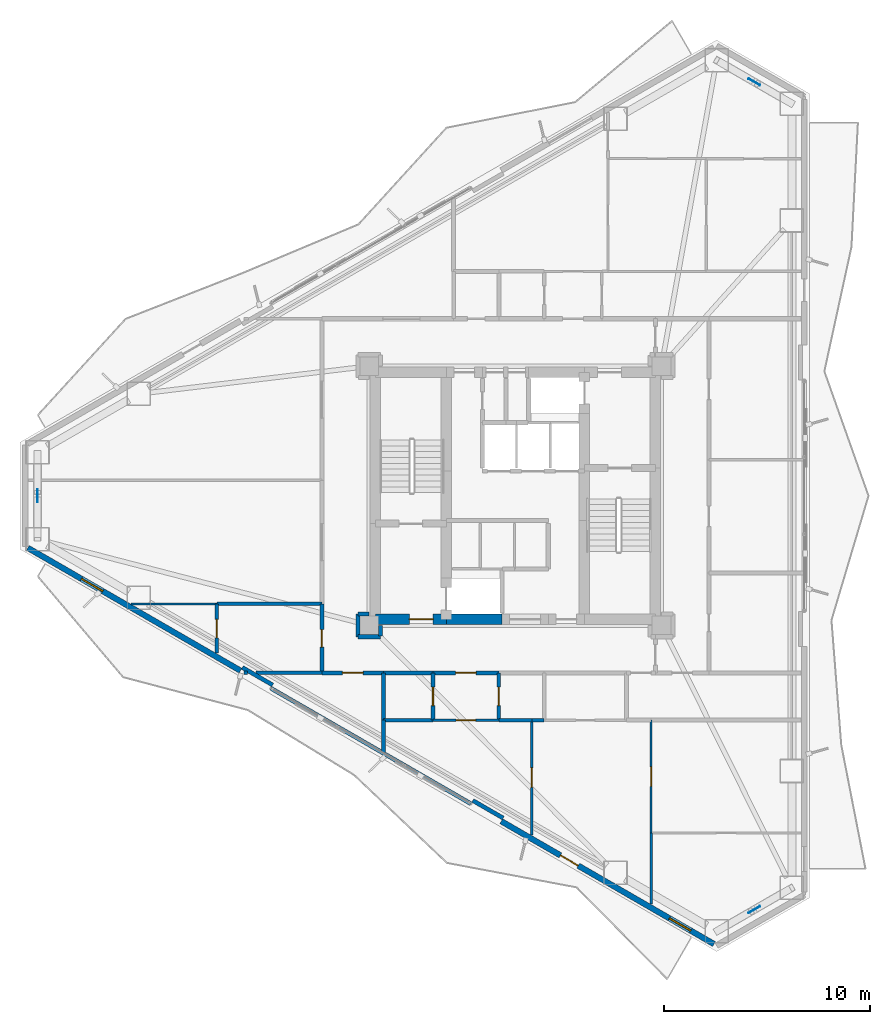
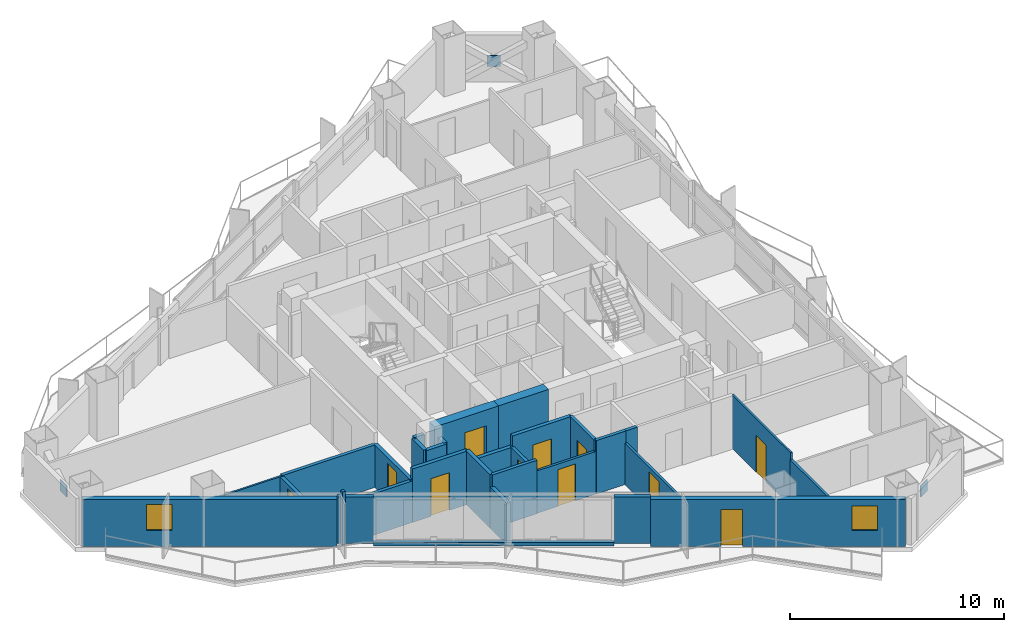
# One storey, part 15 of 22: 31 walls, 11 doors, 3 plates, 2 windows, 13 openings.
"""IFC4 building model written with IfcOpenShell, lengths in metres."""

from ifc_helpers import new_model, si_unit, direction, frame, frame_2d, origin, origin_2d, place, context, subcontext, project, spatial, rectangle, extrude, material, layer, layer_set, type_object, element, fill, save


model = new_model("IFC4")

# Units and contexts
model_context = context("Model", 3, precision=1e-05, world=origin(), true_north=direction((0.0, 1.0)))
body_context = subcontext(model_context, "Body", "Model", "MODEL_VIEW")
ifc_project = project(units=[si_unit("LENGTHUNIT", "METRE"), si_unit("AREAUNIT", "SQUARE_METRE"), si_unit("VOLUMEUNIT", "CUBIC_METRE"), si_unit("PLANEANGLEUNIT", "RADIAN"), si_unit("MASSUNIT", "GRAM", prefix="KILO")], contexts=[model_context])

# Site, building, storey
site_placement = place(None, origin())
site = spatial("IfcSite", under=ifc_project, at=site_placement, CompositionType="ELEMENT")
building_placement = place(site_placement, origin())
building = spatial("IfcBuilding", under=site, at=building_placement, Name="Mersakhor Tower and Convention Hall", CompositionType="ELEMENT")
storey_placement = place(building_placement, frame((0.0, 0.0, 83.39990234375)))
storey = spatial("IfcBuildingStorey", under=building, at=storey_placement, Name="L22", CompositionType="ELEMENT", Elevation=83.39990234375)

# Plates
ifc_material_1 = material(Name="Steel S460", Category="steel")
ifc_layer_1 = layer(ifc_material_1, 0.0400390625)
ifc_layer_set_1 = layer_set([ifc_layer_1], Name="Steel S460")
plate_type = type_object("IfcPlateType", Name="PL-GUSSET-40", PredefinedType="SHEET", material=ifc_layer_set_1)
for number, where, z_axis, x_axis, name in (
    (1, (40.606689453125, 46.853515625, 1.205078125), (0.0, 0.0, 1.0), (-0.866025403784, 0.5, 0.0), "L22 X-Brace Crossing Gusset Node Plate"),
    (2, (40.606689453125, 6.646728515625, 1.205078125), (0.0, 0.0, 1.0), (0.866025403784, 0.5, 0.0), "L22 X-Brace Crossing Gusset Node Plate"),
    (3, (5.78662109375, 26.75, 1.205078125), (0.0, 0.0, 1.0), (0.0, -1.0, 0.0), "L22 X-Brace Crossing Gusset Node Plate"),
):
    element("IfcPlate", number, at=place(storey_placement, frame(where, z_axis=z_axis, x_axis=x_axis)), inside=storey, type_object=plate_type, Name=name, PredefinedType="SHEET", context=body_context, shape_type="SweptSolid", body=[
        extrude(rectangle(XDim=0.639892578125, YDim=0.0400390625, at=origin_2d()), origin(), (0.0, 0.0, 1.0), 0.639892578125),
    ])

# Wall, openings, door, window
ifc_material_2 = material(Name="Precast concrete C45/55", Category="concrete")
ifc_layer_2 = layer(ifc_material_2, 0.27490234375)
ifc_layer_set_2 = layer_set([ifc_layer_2], Name="Precast concrete C45/55")
wall_type_1 = type_object("IfcWallType", Name="WL-EXT-275", PredefinedType="SOLIDWALL", material=ifc_layer_set_2)
wall_1_placement = place(storey_placement, frame((38.648681640625, 4.973388671875, 0.0), z_axis=(0.0, 0.0, 1.0), x_axis=(-0.866023023012, 0.500004123596, 0.0)))
wall_1 = element("IfcWall", 4, at=wall_1_placement, inside=storey, type_object=wall_type_1, Name="L22 Exterior Facade Wall F3-B1", PredefinedType="SOLIDWALL", context=body_context, shape_type="SweptSolid", body=[
    extrude(rectangle(XDim=11.9296875, YDim=0.27490234375, at=frame_2d((5.96484375, 0.0))), origin(), (0.0, 0.0, 1.0), 2.670166015625),
])
opening_1_placement = place(wall_1_placement, frame((7.615966796875, 0.0, 0.0)))
opening_1 = element("IfcOpeningElement", 5, at=opening_1_placement, cuts=wall_1, Name="Opening BD-01", PredefinedType="OPENING", context=body_context, shape_type="SweptSolid", body=[
    extrude(rectangle(XDim=1.0, YDim=2.10009765625, at=frame_2d((0.5, 1.050048828125))), frame((0.0, 0.1474609375, 0.0), z_axis=(0.0, -1.0, 0.0), x_axis=(1.0, 0.0, 0.0)), (0.0, 0.0, 1.0), 0.294921875),
])
opening_2_placement = place(wall_1_placement, frame((1.304931640625, 0.0, 0.89990234375)))
opening_2 = element("IfcOpeningElement", 6, at=opening_2_placement, cuts=wall_1, Name="Opening W-01", PredefinedType="OPENING", context=body_context, shape_type="SweptSolid", body=[
    extrude(rectangle(XDim=1.199951171875, YDim=1.39990234375, at=frame_2d((0.60009765625, 0.699951171875))), frame((0.0, 0.1474609375, 0.0), z_axis=(0.0, -1.0, 0.0), x_axis=(1.0, 0.0, 0.0)), (0.0, 0.0, 1.0), 0.294921875),
])
ifc_material_3 = material(Name="Thermally broken dark aluminium and safety glass", Category="aluminium")
door_type_1 = type_object("IfcDoorType", Name="DR-BAL-100x210", OperationType="NOTDEFINED", PredefinedType="DOOR", material=ifc_material_3)
door_1_placement = place(opening_1_placement, origin())
door_1 = element("IfcDoor", 7, at=door_1_placement, inside=storey, type_object=door_type_1, Name="L22 Balcony Terrace Door F3-B1", OperationType="SINGLE_SWING_LEFT", OverallHeight=2.10009765625, OverallWidth=1.0, PredefinedType="DOOR", context=body_context, shape_type="SweptSolid", body=[
    extrude(rectangle(XDim=1.0, YDim=2.10009765625, at=frame_2d((0.5, 1.050048828125))), frame((0.0, 0.02490234375, 0.0), z_axis=(0.0, -1.0, 0.0), x_axis=(1.0, 0.0, 0.0)), (0.0, 0.0, 1.0), 0.050048828125),
])
fill(opening_1, door_1)
ifc_material_4 = material(Name="Dark solar low-E glazed aluminium window", Category="aluminium")
window_type = type_object("IfcWindowType", Name="WN-RES-120x150", PartitioningType="SINGLE_PANEL", PredefinedType="WINDOW", material=ifc_material_4)
window_1_placement = place(opening_2_placement, origin())
window_1 = element("IfcWindow", 8, at=window_1_placement, inside=storey, type_object=window_type, Name="L22 Bedroom Facade Window F3-B1-1", OverallHeight=1.39990234375, OverallWidth=1.199951171875, PartitioningType="SINGLE_PANEL", PredefinedType="WINDOW", context=body_context, shape_type="SweptSolid", body=[
    extrude(rectangle(XDim=1.199951171875, YDim=1.39990234375, at=frame_2d((0.60009765625, 0.699951171875))), frame((0.0, 0.030029296875, 0.0), z_axis=(0.0, -1.0, 0.0), x_axis=(1.0, 0.0, 0.0)), (0.0, 0.0, 1.0), 0.06005859375),
])
fill(opening_2, window_1)

# Wall, opening, window
wall_2_placement = place(storey_placement, frame((15.64794921875, 18.2529296875, 0.0), z_axis=(0.0, 0.0, 1.0), x_axis=(-0.866023023012, 0.500004123596, 0.0)))
wall_2 = element("IfcWall", 9, at=wall_2_placement, inside=storey, type_object=wall_type_1, Name="L22 Exterior Facade Wall F3-B3", PredefinedType="SOLIDWALL", context=body_context, shape_type="SweptSolid", body=[
    extrude(rectangle(XDim=11.9296875, YDim=0.27490234375, at=frame_2d((5.96484375, 0.0))), origin(), (0.0, 0.0, 1.0), 2.670166015625),
])
opening_3_placement = place(wall_2_placement, frame((7.72509765625, 0.0, 0.89990234375)))
opening_3 = element("IfcOpeningElement", 10, at=opening_3_placement, cuts=wall_2, Name="Opening W-01", PredefinedType="OPENING", context=body_context, shape_type="SweptSolid", body=[
    extrude(rectangle(XDim=1.199951171875, YDim=1.5, at=frame_2d((0.60009765625, 0.75))), frame((0.0, 0.1474609375, 0.0), z_axis=(0.0, -1.0, 0.0), x_axis=(1.0, 0.0, 0.0)), (0.0, 0.0, 1.0), 0.294921875),
])
window_2_placement = place(opening_3_placement, origin())
window_2 = element("IfcWindow", 11, at=window_2_placement, inside=storey, type_object=window_type, Name="L22 Facade Punched Window F3-B3", OverallHeight=1.5, OverallWidth=1.199951171875, PartitioningType="SINGLE_PANEL", PredefinedType="WINDOW", context=body_context, shape_type="SweptSolid", body=[
    extrude(rectangle(XDim=1.199951171875, YDim=1.5, at=frame_2d((0.60009765625, 0.75))), frame((0.0, 0.030029296875, 0.0), z_axis=(0.0, -1.0, 0.0), x_axis=(1.0, 0.0, 0.0)), (0.0, 0.0, 1.0), 0.06005859375),
])
fill(opening_3, window_2)

# Walls
ifc_material_5 = material(Name="Precast concrete C40/50", Category="concrete")
ifc_layer_3 = layer(ifc_material_5, 0.199951171875)
ifc_layer_set_3 = layer_set([ifc_layer_3], Name="Precast concrete C40/50")
wall_type_2 = type_object("IfcWallType", Name="WL-PAR-200", PredefinedType="PARAPET", material=ifc_layer_set_3)
wall_3_placement = place(storey_placement, frame((26.84521484375, 11.788330078125, 0.0), z_axis=(0.0, 0.0, 1.0), x_axis=(-0.866027010039, 0.499997217876, 0.0)))
element("IfcWall", 12, at=wall_3_placement, inside=storey, type_object=wall_type_2, Name="L22 Curtain Wall Upstand Sill F3-B2", PredefinedType="PARAPET", context=body_context, shape_type="SweptSolid", body=[
    extrude(rectangle(XDim=11.2294921875, YDim=0.199951171875, at=frame_2d((5.61474609375, 0.0))), origin(), (0.0, 0.0, 1.0), 0.2001953125),
])
wall_4_placement = place(storey_placement, frame((28.407470703125, 11.09423828125, 0.0), z_axis=(0.0, 0.0, 1.0), x_axis=(-0.86605165483, 0.499954529098, 0.0)))
element("IfcWall", 13, at=wall_4_placement, inside=storey, type_object=wall_type_2, Name="L22 Column Pier Cladding Wall F3-C1", PredefinedType="PARAPET", context=body_context, shape_type="SweptSolid", body=[
    extrude(rectangle(XDim=1.699951171875, YDim=0.199951171875, at=frame_2d((0.85009765625, 0.0))), origin(), (0.0, 0.0, 1.0), 2.670166015625),
])
wall_5_placement = place(storey_placement, frame((17.210205078125, 17.558837890625, 0.0), z_axis=(0.0, 0.0, 1.0), x_axis=(-0.866025371046, 0.500000056704, 0.0)))
element("IfcWall", 14, at=wall_5_placement, inside=storey, type_object=wall_type_2, Name="L22 Column Pier Cladding Wall F3-C2", PredefinedType="PARAPET", context=body_context, shape_type="SweptSolid", body=[
    extrude(rectangle(XDim=1.7001953125, YDim=0.199951171875, at=frame_2d((0.85009765625, 0.0))), origin(), (0.0, 0.0, 1.0), 2.670166015625),
])

# Wall, opening, door
ifc_material_6 = material(Name="Moisture-resistant acoustic drywall studwork", Category="other")
ifc_layer_4 = layer(ifc_material_6, 0.175048828125)
ifc_layer_set_4 = layer_set([ifc_layer_4], Name="Moisture-resistant acoustic drywall studwork")
wall_type_3 = type_object("IfcWallType", Name="WL-PLM-175", PredefinedType="PLUMBINGWALL", material=ifc_layer_set_4)
wall_6_placement = place(storey_placement, frame((25.0, 15.85009765625, 0.0), z_axis=(0.0, 0.0, 1.0), x_axis=(0.0, 1.0, 0.0)))
wall_6 = element("IfcWall", 15, at=wall_6_placement, inside=storey, type_object=wall_type_3, Name="L22 Interior Partition Wall P-062", PredefinedType="PLUMBINGWALL", context=body_context, shape_type="SweptSolid", body=[
    extrude(rectangle(XDim=2.2998046875, YDim=0.175048828125, at=frame_2d((1.14990234375, 0.0))), origin(), (0.0, 0.0, 1.0), 2.4228515625),
])
opening_4_placement = place(wall_6_placement, frame((0.699951171875, 0.0, 0.0)))
opening_4 = element("IfcOpeningElement", 16, at=opening_4_placement, cuts=wall_6, Name="Opening WD-01", PredefinedType="OPENING", context=body_context, shape_type="SweptSolid", body=[
    extrude(rectangle(XDim=0.89990234375, YDim=2.10009765625, at=frame_2d((0.449951171875, 1.050048828125))), frame((0.0, 0.097412109375, 0.0), z_axis=(0.0, -1.0, 0.0), x_axis=(1.0, 0.0, 0.0)), (0.0, 0.0, 1.0), 0.195068359375),
])
ifc_material_7 = material(Name="Solid-core hardwood leaf in painted steel frame", Category="steel")
door_type_2 = type_object("IfcDoorType", Name="DR-INT-WET-090x210", OperationType="NOTDEFINED", PredefinedType="DOOR", material=ifc_material_7)
door_2_placement = place(opening_4_placement, origin())
door_2 = element("IfcDoor", 17, at=door_2_placement, inside=storey, type_object=door_type_2, Name="L22 L22 Flat S2 Apartment Hall to L22 Flat S2 Bathroom Door", OperationType="SINGLE_SWING_LEFT", OverallHeight=2.10009765625, OverallWidth=0.89990234375, PredefinedType="DOOR", context=body_context, shape_type="SweptSolid", body=[
    extrude(rectangle(XDim=0.89990234375, YDim=2.10009765625, at=frame_2d((0.449951171875, 1.050048828125))), frame((0.0, 0.02490234375, 0.0), z_axis=(0.0, -1.0, 0.0), x_axis=(1.0, 0.0, 0.0)), (0.0, 0.0, 1.0), 0.050048828125),
])
fill(opening_4, door_2)

wall_7_placement = place(storey_placement, frame((28.199951171875, 18.14990234375, 0.0), z_axis=(0.0, 0.0, 1.0), x_axis=(0.0, -1.0, 0.0)))
wall_7 = element("IfcWall", 18, at=wall_7_placement, inside=storey, type_object=wall_type_3, Name="L22 Interior Partition Wall P-063", PredefinedType="PLUMBINGWALL", context=body_context, shape_type="SweptSolid", body=[
    extrude(rectangle(XDim=2.2998046875, YDim=0.175048828125, at=frame_2d((1.14990234375, 0.0))), origin(), (0.0, 0.0, 1.0), 3.050048828125),
])
opening_5_placement = place(wall_7_placement, frame((0.699951171875, 0.0, 0.0)))
opening_5 = element("IfcOpeningElement", 19, at=opening_5_placement, cuts=wall_7, Name="Opening WD-01", PredefinedType="OPENING", context=body_context, shape_type="SweptSolid", body=[
    extrude(rectangle(XDim=0.89990234375, YDim=2.10009765625, at=frame_2d((0.449951171875, 1.050048828125))), frame((0.0, 0.097412109375, 0.0), z_axis=(0.0, -1.0, 0.0), x_axis=(1.0, 0.0, 0.0)), (0.0, 0.0, 1.0), 0.195068359375),
])
door_3_placement = place(opening_5_placement, origin())
door_3 = element("IfcDoor", 20, at=door_3_placement, inside=storey, type_object=door_type_2, Name="L22 L22 Flat S2 Apartment Hall to L22 Flat S2 En-Suite Shower Room Door", OperationType="SINGLE_SWING_RIGHT", OverallHeight=2.10009765625, OverallWidth=0.89990234375, PredefinedType="DOOR", context=body_context, shape_type="SweptSolid", body=[
    extrude(rectangle(XDim=0.89990234375, YDim=2.10009765625, at=frame_2d((0.449951171875, 1.050048828125))), frame((0.0, 0.02490234375, 0.0), z_axis=(0.0, -1.0, 0.0), x_axis=(1.0, 0.0, 0.0)), (0.0, 0.0, 1.0), 0.050048828125),
])
fill(opening_5, door_3)

# Walls
wall_8_placement = place(storey_placement, frame((14.5, 21.5, 0.0), z_axis=(0.0, 0.0, 1.0), x_axis=(1.0, 0.0, 0.0)))
element("IfcWall", 21, at=wall_8_placement, inside=storey, type_object=wall_type_3, Name="L22 Interior Partition Wall P-067", PredefinedType="PLUMBINGWALL", context=body_context, shape_type="SweptSolid", body=[
    extrude(rectangle(XDim=5.10009765625, YDim=0.175048828125, at=frame_2d((2.550048828125, 0.0))), origin(), (0.0, 0.0, 1.0), 2.4228515625),
])
wall_9_placement = place(storey_placement, frame((19.60009765625, 18.14990234375, 0.0), z_axis=(0.0, 0.0, 1.0), x_axis=(-1.0, 0.0, 0.0)))
element("IfcWall", 22, at=wall_9_placement, inside=storey, type_object=wall_type_3, Name="L22 Interior Partition Wall P-068", PredefinedType="PLUMBINGWALL", context=body_context, shape_type="SweptSolid", body=[
    extrude(rectangle(XDim=3.188232421875, YDim=0.175048828125, at=frame_2d((1.59423828125, 0.0))), origin(), (0.0, 0.0, 1.0), 2.364990234375),
])
wall_10_placement = place(storey_placement, frame((15.981201171875, 18.14990234375, 0.0), z_axis=(0.0, 0.0, 1.0), x_axis=(-1.0, 0.0, 0.0)))
element("IfcWall", 23, at=wall_10_placement, inside=storey, type_object=wall_type_3, Name="L22 Interior Partition Wall P-069", PredefinedType="PLUMBINGWALL", context=body_context, shape_type="SweptSolid", body=[
    extrude(rectangle(XDim=0.1552734375, YDim=0.175048828125, at=frame_2d((0.07763671875, 0.0))), origin(), (0.0, 0.0, 1.0), 3.050048828125),
])

# Wall, opening, door
wall_11_placement = place(storey_placement, frame((14.5, 19.102294921875, 0.0), z_axis=(0.0, 0.0, 1.0), x_axis=(0.0, 1.0, 0.0)))
wall_11 = element("IfcWall", 24, at=wall_11_placement, inside=storey, type_object=wall_type_3, Name="L22 Interior Partition Wall P-070", PredefinedType="PLUMBINGWALL", context=body_context, shape_type="SweptSolid", body=[
    extrude(rectangle(XDim=2.397705078125, YDim=0.175048828125, at=frame_2d((1.19873046875, 0.0))), origin(), (0.0, 0.0, 1.0), 2.364990234375),
])
opening_6_placement = place(wall_11_placement, frame((0.748779296875, 0.0, 0.0)))
opening_6 = element("IfcOpeningElement", 25, at=opening_6_placement, cuts=wall_11, Name="Opening WD-01", PredefinedType="OPENING", context=body_context, shape_type="SweptSolid", body=[
    extrude(rectangle(XDim=0.89990234375, YDim=2.10009765625, at=frame_2d((0.449951171875, 1.050048828125))), frame((0.0, 0.097412109375, 0.0), z_axis=(0.0, -1.0, 0.0), x_axis=(1.0, 0.0, 0.0)), (0.0, 0.0, 1.0), 0.195068359375),
])
door_4_placement = place(opening_6_placement, origin())
door_4 = element("IfcDoor", 26, at=door_4_placement, inside=storey, type_object=door_type_2, Name="L22 L22 West Wing Public Restroom WC to L22 West Wing Quiet Focus Room Door", OperationType="SINGLE_SWING_LEFT", OverallHeight=2.10009765625, OverallWidth=0.89990234375, PredefinedType="DOOR", context=body_context, shape_type="SweptSolid", body=[
    extrude(rectangle(XDim=0.89990234375, YDim=2.10009765625, at=frame_2d((0.449951171875, 1.050048828125))), frame((0.0, 0.02490234375, 0.0), z_axis=(0.0, -1.0, 0.0), x_axis=(1.0, 0.0, 0.0)), (0.0, 0.0, 1.0), 0.050048828125),
])
fill(opening_6, door_4)

# Walls
wall_12_placement = place(storey_placement, frame((25.0, 15.85009765625, 0.0), z_axis=(0.0, 0.0, 1.0), x_axis=(-1.0, 0.0, 0.0)))
element("IfcWall", 27, at=wall_12_placement, inside=storey, type_object=wall_type_3, Name="L22 Interior Partition Wall P-076", PredefinedType="PLUMBINGWALL", context=body_context, shape_type="SweptSolid", body=[
    extrude(rectangle(XDim=2.39990234375, YDim=0.175048828125, at=frame_2d((1.199951171875, 0.0))), origin(), (0.0, 0.0, 1.0), 3.050048828125),
])
wall_13_placement = place(storey_placement, frame((30.39990234375, 15.85009765625, 0.0), z_axis=(0.0, 0.0, 1.0), x_axis=(-1.0, 0.0, 0.0)))
element("IfcWall", 28, at=wall_13_placement, inside=storey, type_object=wall_type_3, Name="L22 Interior Partition Wall P-078", PredefinedType="PLUMBINGWALL", context=body_context, shape_type="SweptSolid", body=[
    extrude(rectangle(XDim=0.599853515625, YDim=0.175048828125, at=frame_2d((0.2998046875, 0.0))), origin(), (0.0, 0.0, 1.0), 3.050048828125),
])
wall_14_placement = place(storey_placement, frame((29.800048828125, 15.85009765625, 0.0), z_axis=(0.0, 0.0, 1.0), x_axis=(-1.0, 0.0, 0.0)))
element("IfcWall", 29, at=wall_14_placement, inside=storey, type_object=wall_type_3, Name="L22 Interior Partition Wall P-079", PredefinedType="PLUMBINGWALL", context=body_context, shape_type="SweptSolid", body=[
    extrude(rectangle(XDim=1.60009765625, YDim=0.175048828125, at=frame_2d((0.800048828125, 0.0))), origin(), (0.0, 0.0, 1.0), 3.050048828125),
])
ifc_material_8 = material(Name="Lightweight gypsum partition", Category="other")
ifc_layer_5 = layer(ifc_material_8, 0.10009765625)
ifc_layer_set_5 = layer_set([ifc_layer_5], Name="Lightweight gypsum partition")
wall_type_4 = type_object("IfcWallType", Name="WL-PRT-100", PredefinedType="PARTITIONING", material=ifc_layer_set_5)
wall_15_placement = place(storey_placement, frame((14.5, 21.5, 0.0), z_axis=(0.0, 0.0, 1.0), x_axis=(-1.0, 0.0, 0.0)))
element("IfcWall", 30, at=wall_15_placement, inside=storey, type_object=wall_type_4, Name="L22 Interior Partition Wall P-092", PredefinedType="PARTITIONING", context=body_context, shape_type="SweptSolid", body=[
    extrude(rectangle(XDim=4.182373046875, YDim=0.10009765625, at=frame_2d((2.09130859375, 0.0))), origin(), (0.0, 0.0, 1.0), 2.364990234375),
])

# Wall, opening, door
wall_16_placement = place(storey_placement, frame((35.60009765625, 15.85009765625, 0.0), z_axis=(0.0, 0.0, 1.0), x_axis=(0.0, -1.0, 0.0)))
wall_16 = element("IfcWall", 31, at=wall_16_placement, inside=storey, type_object=wall_type_4, Name="L22 Interior Partition Wall P-102", PredefinedType="PARTITIONING", context=body_context, shape_type="SweptSolid", body=[
    extrude(rectangle(XDim=5.47998046875, YDim=0.10009765625, at=frame_2d((2.739990234375, 0.0))), origin(), (0.0, 0.0, 1.0), 3.050048828125),
])
opening_7_placement = place(wall_16_placement, frame((2.264892578125, 0.0, 0.0)))
opening_7 = element("IfcOpeningElement", 32, at=opening_7_placement, cuts=wall_16, Name="Opening RD-01", PredefinedType="OPENING", context=body_context, shape_type="SweptSolid", body=[
    extrude(rectangle(XDim=0.949951171875, YDim=2.10009765625, at=frame_2d((0.47509765625, 1.050048828125))), frame((0.0, 0.06005859375, 0.0), z_axis=(0.0, -1.0, 0.0), x_axis=(1.0, 0.0, 0.0)), (0.0, 0.0, 1.0), 0.1201171875),
])
ifc_material_9 = material(Name="Solid-core hardwood leaf in painted steel frame", Category="steel")
door_type_3 = type_object("IfcDoorType", Name="DR-INT-RM-095x210", OperationType="NOTDEFINED", PredefinedType="DOOR", material=ifc_material_9)
door_5_placement = place(opening_7_placement, origin())
door_5 = element("IfcDoor", 33, at=door_5_placement, inside=storey, type_object=door_type_3, Name="L22 L22 Flat S2 Master Bedroom to L22 Flat S2 Dining Room Door", OperationType="SINGLE_SWING_RIGHT", OverallHeight=2.10009765625, OverallWidth=0.949951171875, PredefinedType="DOOR", context=body_context, shape_type="SweptSolid", body=[
    extrude(rectangle(XDim=0.949951171875, YDim=2.10009765625, at=frame_2d((0.47509765625, 1.050048828125))), frame((0.0, 0.02490234375, 0.0), z_axis=(0.0, -1.0, 0.0), x_axis=(1.0, 0.0, 0.0)), (0.0, 0.0, 1.0), 0.050048828125),
])
fill(opening_7, door_5)

ifc_material_10 = material(Name="Gypsum board acoustic partition", Category="other")
ifc_layer_6 = layer(ifc_material_10, 0.125)
ifc_layer_set_6 = layer_set([ifc_layer_6], Name="Gypsum board acoustic partition")
wall_type_5 = type_object("IfcWallType", Name="WL-PRT-125", PredefinedType="PARTITIONING", material=ifc_layer_set_6)
wall_17_placement = place(storey_placement, frame((28.199951171875, 15.85009765625, 0.0), z_axis=(0.0, 0.0, 1.0), x_axis=(-1.0, 0.0, 0.0)))
wall_17 = element("IfcWall", 34, at=wall_17_placement, inside=storey, type_object=wall_type_5, Name="L22 Interior Partition Wall P-061", PredefinedType="PARTITIONING", context=body_context, shape_type="SweptSolid", body=[
    extrude(rectangle(XDim=3.199951171875, YDim=0.125, at=frame_2d((1.60009765625, 0.0))), origin(), (0.0, 0.0, 1.0), 2.4228515625),
])
opening_8_placement = place(wall_17_placement, frame((1.125, 0.0, 0.0)))
opening_8 = element("IfcOpeningElement", 35, at=opening_8_placement, cuts=wall_17, Name="Opening RD-01", PredefinedType="OPENING", context=body_context, shape_type="SweptSolid", body=[
    extrude(rectangle(XDim=0.949951171875, YDim=2.10009765625, at=frame_2d((0.47509765625, 1.050048828125))), frame((0.0, 0.072509765625, 0.0), z_axis=(0.0, -1.0, 0.0), x_axis=(1.0, 0.0, 0.0)), (0.0, 0.0, 1.0), 0.14501953125),
])
door_6_placement = place(opening_8_placement, origin())
door_6 = element("IfcDoor", 36, at=door_6_placement, inside=storey, type_object=door_type_3, Name="L22 L22 Flat S2 Apartment Hall to L22 Flat S2 Living and Dining Room Door", OperationType="SINGLE_SWING_LEFT", OverallHeight=2.10009765625, OverallWidth=0.949951171875, PredefinedType="DOOR", context=body_context, shape_type="SweptSolid", body=[
    extrude(rectangle(XDim=0.949951171875, YDim=2.10009765625, at=frame_2d((0.47509765625, 1.050048828125))), frame((0.0, 0.02490234375, 0.0), z_axis=(0.0, -1.0, 0.0), x_axis=(1.0, 0.0, 0.0)), (0.0, 0.0, 1.0), 0.050048828125),
])
fill(opening_8, door_6)

wall_18_placement = place(storey_placement, frame((29.800048828125, 15.85009765625, 0.0), z_axis=(0.0, 0.0, 1.0), x_axis=(0.0, -1.0, 0.0)))
wall_18 = element("IfcWall", 37, at=wall_18_placement, inside=storey, type_object=wall_type_5, Name="L22 Interior Partition Wall P-101", PredefinedType="PARTITIONING", context=body_context, shape_type="SweptSolid", body=[
    extrude(rectangle(XDim=5.581298828125, YDim=0.125, at=frame_2d((2.79052734375, 0.0))), origin(), (0.0, 0.0, 1.0), 2.364990234375),
])
opening_9_placement = place(wall_18_placement, frame((2.3154296875, 0.0, 0.0)))
opening_9 = element("IfcOpeningElement", 38, at=opening_9_placement, cuts=wall_18, Name="Opening RD-01", PredefinedType="OPENING", context=body_context, shape_type="SweptSolid", body=[
    extrude(rectangle(XDim=0.949951171875, YDim=2.10009765625, at=frame_2d((0.47509765625, 1.050048828125))), frame((0.0, 0.072509765625, 0.0), z_axis=(0.0, -1.0, 0.0), x_axis=(1.0, 0.0, 0.0)), (0.0, 0.0, 1.0), 0.14501953125),
])
door_7_placement = place(opening_9_placement, origin())
door_7 = element("IfcDoor", 39, at=door_7_placement, inside=storey, type_object=door_type_3, Name="L22 L22 Flat S2 Living and Dining Room to L22 Flat S2 Master Bedroom Door", OperationType="SINGLE_SWING_LEFT", OverallHeight=2.10009765625, OverallWidth=0.949951171875, PredefinedType="DOOR", context=body_context, shape_type="SweptSolid", body=[
    extrude(rectangle(XDim=0.949951171875, YDim=2.10009765625, at=frame_2d((0.47509765625, 1.050048828125))), frame((0.0, 0.02490234375, 0.0), z_axis=(0.0, -1.0, 0.0), x_axis=(1.0, 0.0, 0.0)), (0.0, 0.0, 1.0), 0.050048828125),
])
fill(opening_9, door_7)

# Walls
wall_19_placement = place(storey_placement, frame((35.60009765625, 10.3701171875, 0.0), z_axis=(0.0, 0.0, 1.0), x_axis=(0.0, -1.0, 0.0)))
element("IfcWall", 40, at=wall_19_placement, inside=storey, type_object=wall_type_5, Name="L22 Interior Partition Wall P-103", PredefinedType="PARTITIONING", context=body_context, shape_type="SweptSolid", body=[
    extrude(rectangle(XDim=3.449951171875, YDim=0.125, at=frame_2d((1.72509765625, 0.0))), origin(), (0.0, 0.0, 1.0), 2.660400390625),
])
ifc_material_11 = material(Name="Acoustic concrete blockwork and gypsum board", Category="masonry")
ifc_layer_7 = layer(ifc_material_11, 0.199951171875)
ifc_layer_set_7 = layer_set([ifc_layer_7], Name="Acoustic concrete blockwork and gypsum board")
wall_type_6 = type_object("IfcWallType", Name="WL-PRT-200", PredefinedType="PARTITIONING", material=ifc_layer_set_7)
wall_20_placement = place(storey_placement, frame((21.35009765625, 19.89990234375, 0.0), z_axis=(0.0, 0.0, 1.0), x_axis=(1.0, 0.0, 0.0)))
element("IfcWall", 41, at=wall_20_placement, inside=storey, type_object=wall_type_6, Name="L22 Interior Partition Wall P-019", PredefinedType="PARTITIONING", context=body_context, shape_type="SweptSolid", body=[
    extrude(rectangle(XDim=1.099853515625, YDim=0.199951171875, at=frame_2d((0.5498046875, 0.0))), origin(), (0.0, 0.0, 1.0), 2.4228515625),
])
wall_21_placement = place(storey_placement, frame((22.449951171875, 19.929931640625, 0.0), z_axis=(0.0, 0.0, 1.0), x_axis=(0.0, 1.0, 0.0)))
element("IfcWall", 42, at=wall_21_placement, inside=storey, type_object=wall_type_6, Name="L22 Interior Partition Wall P-020", PredefinedType="PARTITIONING", context=body_context, shape_type="SweptSolid", body=[
    extrude(rectangle(XDim=0.52001953125, YDim=0.199951171875, at=frame_2d((0.260009765625, 0.0))), origin(), (0.0, 0.0, 1.0), 2.4228515625),
])

# Wall, opening, door
wall_22_placement = place(storey_placement, frame((28.199951171875, 18.14990234375, 0.0), z_axis=(0.0, 0.0, 1.0), x_axis=(-1.0, 0.0, 0.0)))
wall_22 = element("IfcWall", 43, at=wall_22_placement, inside=storey, type_object=wall_type_6, Name="L22 Interior Partition Wall P-027", PredefinedType="PARTITIONING", context=body_context, shape_type="SweptSolid", body=[
    extrude(rectangle(XDim=3.199951171875, YDim=0.199951171875, at=frame_2d((1.60009765625, 0.0))), origin(), (0.0, 0.0, 1.0), 3.050048828125),
])
opening_10_placement = place(wall_22_placement, frame((1.10009765625, 0.0, 0.0)))
opening_10 = element("IfcOpeningElement", 44, at=opening_10_placement, cuts=wall_22, Name="Opening FD-01", PredefinedType="OPENING", context=body_context, shape_type="SweptSolid", body=[
    extrude(rectangle(XDim=1.0, YDim=2.14990234375, at=frame_2d((0.5, 1.074951171875))), frame((0.0, 0.10986328125, 0.0), z_axis=(0.0, -1.0, 0.0), x_axis=(1.0, 0.0, 0.0)), (0.0, 0.0, 1.0), 0.219970703125),
])
ifc_material_12 = material(Name="Fire-rated hardwood leaf and painted steel frame", Category="steel")
door_type_4 = type_object("IfcDoorType", Name="DR-INT-FLT-100x215", OperationType="NOTDEFINED", PredefinedType="DOOR", material=ifc_material_12)
door_8_placement = place(opening_10_placement, origin())
door_8 = element("IfcDoor", 45, at=door_8_placement, inside=storey, type_object=door_type_4, Name="L22 Apartment Entrance Door (Residential Ring Corridor to L22 Flat S2 Apartment Hall)", OperationType="SINGLE_SWING_RIGHT", OverallHeight=2.14990234375, OverallWidth=1.0, PredefinedType="DOOR", context=body_context, shape_type="SweptSolid", body=[
    extrude(rectangle(XDim=1.0, YDim=2.14990234375, at=frame_2d((0.5, 1.074951171875))), frame((0.0, 0.02490234375, 0.0), z_axis=(0.0, -1.0, 0.0), x_axis=(1.0, 0.0, 0.0)), (0.0, 0.0, 1.0), 0.050048828125),
])
fill(opening_10, door_8)

# Wall
wall_23_placement = place(storey_placement, frame((25.0, 18.14990234375, 0.0), z_axis=(0.0, 0.0, 1.0), x_axis=(-1.0, 0.0, 0.0)))
element("IfcWall", 46, at=wall_23_placement, inside=storey, type_object=wall_type_6, Name="L22 Interior Partition Wall P-028", PredefinedType="PARTITIONING", context=body_context, shape_type="SweptSolid", body=[
    extrude(rectangle(XDim=2.39990234375, YDim=0.199951171875, at=frame_2d((1.199951171875, 0.0))), origin(), (0.0, 0.0, 1.0), 2.4228515625),
])

# Wall, opening, door
wall_24_placement = place(storey_placement, frame((22.60009765625, 18.14990234375, 0.0), z_axis=(0.0, 0.0, 1.0), x_axis=(-1.0, 0.0, 0.0)))
wall_24 = element("IfcWall", 47, at=wall_24_placement, inside=storey, type_object=wall_type_6, Name="L22 Interior Partition Wall P-029", PredefinedType="PARTITIONING", context=body_context, shape_type="SweptSolid", body=[
    extrude(rectangle(XDim=3.0, YDim=0.199951171875, at=frame_2d((1.5, 0.0))), origin(), (0.0, 0.0, 1.0), 3.050048828125),
])
opening_11_placement = place(wall_24_placement, frame((1.0, 0.0, 0.0)))
opening_11 = element("IfcOpeningElement", 48, at=opening_11_placement, cuts=wall_24, Name="Opening FD-01", PredefinedType="OPENING", context=body_context, shape_type="SweptSolid", body=[
    extrude(rectangle(XDim=1.0, YDim=2.14990234375, at=frame_2d((0.5, 1.074951171875))), frame((0.0, 0.10986328125, 0.0), z_axis=(0.0, -1.0, 0.0), x_axis=(1.0, 0.0, 0.0)), (0.0, 0.0, 1.0), 0.219970703125),
])
door_9_placement = place(opening_11_placement, origin())
door_9 = element("IfcDoor", 49, at=door_9_placement, inside=storey, type_object=door_type_4, Name="L22 Residential Ring Corridor to L22 South-West Quiet Study Room Door", OperationType="SINGLE_SWING_LEFT", OverallHeight=2.14990234375, OverallWidth=1.0, PredefinedType="DOOR", context=body_context, shape_type="SweptSolid", body=[
    extrude(rectangle(XDim=1.0, YDim=2.14990234375, at=frame_2d((0.5, 1.074951171875))), frame((0.0, 0.02490234375, 0.0), z_axis=(0.0, -1.0, 0.0), x_axis=(1.0, 0.0, 0.0)), (0.0, 0.0, 1.0), 0.050048828125),
])
fill(opening_11, door_9)

wall_25_placement = place(storey_placement, frame((19.60009765625, 18.14990234375, 0.0), z_axis=(0.0, 0.0, 1.0), x_axis=(0.0, 1.0, 0.0)))
wall_25 = element("IfcWall", 50, at=wall_25_placement, inside=storey, type_object=wall_type_6, Name="L22 Interior Partition Wall P-030", PredefinedType="PARTITIONING", context=body_context, shape_type="SweptSolid", body=[
    extrude(rectangle(XDim=3.35009765625, YDim=0.199951171875, at=frame_2d((1.675048828125, 0.0))), origin(), (0.0, 0.0, 1.0), 2.4228515625),
])
opening_12_placement = place(wall_25_placement, frame((1.25, 0.0, 0.0)))
opening_12 = element("IfcOpeningElement", 51, at=opening_12_placement, cuts=wall_25, Name="Opening SVD-01", PredefinedType="OPENING", context=body_context, shape_type="SweptSolid", body=[
    extrude(rectangle(XDim=0.85009765625, YDim=2.10009765625, at=frame_2d((0.425048828125, 1.050048828125))), frame((0.0, 0.10986328125, 0.0), z_axis=(0.0, -1.0, 0.0), x_axis=(1.0, 0.0, 0.0)), (0.0, 0.0, 1.0), 0.219970703125),
])
ifc_material_13 = material(Name="Fire-rated hardwood leaf and painted steel frame", Category="steel")
door_type_5 = type_object("IfcDoorType", Name="DR-INT-SVC-085x210", OperationType="NOTDEFINED", PredefinedType="DOOR", material=ifc_material_13)
door_10_placement = place(opening_12_placement, origin())
door_10 = element("IfcDoor", 52, at=door_10_placement, inside=storey, type_object=door_type_5, Name="L22 Residential Ring Corridor to L22 West Wing Public Restroom WC Door", OperationType="SINGLE_SWING_RIGHT", OverallHeight=2.10009765625, OverallWidth=0.85009765625, PredefinedType="DOOR", context=body_context, shape_type="SweptSolid", body=[
    extrude(rectangle(XDim=0.85009765625, YDim=2.10009765625, at=frame_2d((0.425048828125, 1.050048828125))), frame((0.0, 0.02490234375, 0.0), z_axis=(0.0, -1.0, 0.0), x_axis=(1.0, 0.0, 0.0)), (0.0, 0.0, 1.0), 0.050048828125),
])
fill(opening_12, door_10)

# Walls
wall_26_placement = place(storey_placement, frame((21.89990234375, 21.0, 0.0), z_axis=(0.0, 0.0, 1.0), x_axis=(-1.0, 0.0, 0.0)))
element("IfcWall", 53, at=wall_26_placement, inside=storey, type_object=wall_type_6, Name="L22 Interior Partition Wall P-045", PredefinedType="PARTITIONING", context=body_context, shape_type="SweptSolid", body=[
    extrude(rectangle(XDim=0.5498046875, YDim=0.199951171875, at=frame_2d((0.27490234375, 0.0))), origin(), (0.0, 0.0, 1.0), 2.498291015625),
])
wall_27_placement = place(storey_placement, frame((21.35009765625, 21.0, 0.0), z_axis=(0.0, 0.0, 1.0), x_axis=(0.0, -1.0, 0.0)))
element("IfcWall", 54, at=wall_27_placement, inside=storey, type_object=wall_type_6, Name="L22 Interior Partition Wall P-046", PredefinedType="PARTITIONING", context=body_context, shape_type="SweptSolid", body=[
    extrude(rectangle(XDim=1.10009765625, YDim=0.199951171875, at=frame_2d((0.550048828125, 0.0))), origin(), (0.0, 0.0, 1.0), 2.4228515625),
])
wall_28_placement = place(storey_placement, frame((22.60009765625, 15.85009765625, 0.0), z_axis=(0.0, 0.0, 1.0), x_axis=(0.0, 1.0, 0.0)))
element("IfcWall", 55, at=wall_28_placement, inside=storey, type_object=wall_type_6, Name="L22 Interior Partition Wall P-077", PredefinedType="PARTITIONING", context=body_context, shape_type="SweptSolid", body=[
    extrude(rectangle(XDim=2.2998046875, YDim=0.199951171875, at=frame_2d((1.14990234375, 0.0))), origin(), (0.0, 0.0, 1.0), 3.050048828125),
])
wall_29_placement = place(storey_placement, frame((22.60009765625, 15.85009765625, 0.0), z_axis=(0.0, 0.0, 1.0), x_axis=(0.0, -1.0, 0.0)))
element("IfcWall", 56, at=wall_29_placement, inside=storey, type_object=wall_type_6, Name="L22 Interior Partition Wall P-090", PredefinedType="PARTITIONING", context=body_context, shape_type="SweptSolid", body=[
    extrude(rectangle(XDim=1.5693359375, YDim=0.199951171875, at=frame_2d((0.78466796875, 0.0))), origin(), (0.0, 0.0, 1.0), 2.364990234375),
])
ifc_material_14 = material(Name="Concrete C70/85", Category="concrete")
ifc_layer_8 = layer(ifc_material_14, 0.5)
ifc_layer_set_8 = layer_set([ifc_layer_8], Name="Concrete C70/85")
wall_type_7 = type_object("IfcWallType", Name="WL-SHR-500", PredefinedType="SHEAR", material=ifc_layer_set_8)
wall_30_placement = place(storey_placement, frame((28.35009765625, 20.75, 0.0), z_axis=(0.0, 0.0, 1.0), x_axis=(-1.0, 0.0, 0.0)))
element("IfcWall", 57, at=wall_30_placement, inside=storey, type_object=wall_type_7, Name="L22 Core Wall CW-S3", PredefinedType="SHEAR", context=body_context, shape_type="SweptSolid", body=[
    extrude(rectangle(XDim=2.7001953125, YDim=0.5, at=frame_2d((1.35009765625, 0.0))), origin(), (0.0, 0.0, 1.0), 3.050048828125),
])

# Wall, opening, door
wall_31_placement = place(storey_placement, frame((25.64990234375, 20.75, 0.0), z_axis=(0.0, 0.0, 1.0), x_axis=(-1.0, 0.0, 0.0)))
wall_31 = element("IfcWall", 58, at=wall_31_placement, inside=storey, type_object=wall_type_7, Name="L22 Core Wall CW-S4", PredefinedType="SHEAR", context=body_context, shape_type="SweptSolid", body=[
    extrude(rectangle(XDim=3.449951171875, YDim=0.5, at=frame_2d((1.72509765625, 0.0))), origin(), (0.0, 0.0, 1.0), 3.050048828125),
])
opening_13_placement = place(wall_31_placement, frame((0.64990234375, 0.0, 0.0)))
opening_13 = element("IfcOpeningElement", 59, at=opening_13_placement, cuts=wall_31, Name="Opening SD-01", PredefinedType="OPENING", context=body_context, shape_type="SweptSolid", body=[
    extrude(rectangle(XDim=1.14990234375, YDim=2.14990234375, at=frame_2d((0.574951171875, 1.074951171875))), frame((0.0, 0.260009765625, 0.0), z_axis=(0.0, -1.0, 0.0), x_axis=(1.0, 0.0, 0.0)), (0.0, 0.0, 1.0), 0.52001953125),
])
ifc_material_15 = material(Name="Fire-rated hardwood leaf and painted steel frame", Category="steel")
door_type_6 = type_object("IfcDoorType", Name="DR-INT-STAIR-115x215", OperationType="NOTDEFINED", PredefinedType="DOOR", material=ifc_material_15)
door_11_placement = place(opening_13_placement, origin())
door_11 = element("IfcDoor", 60, at=door_11_placement, inside=storey, type_object=door_type_6, Name="L22 Firefighting Lobby West Fire Door", OperationType="SINGLE_SWING_LEFT", OverallHeight=2.14990234375, OverallWidth=1.14990234375, PredefinedType="DOOR", context=body_context, shape_type="SweptSolid", body=[
    extrude(rectangle(XDim=1.14990234375, YDim=2.14990234375, at=frame_2d((0.574951171875, 1.074951171875))), frame((0.0, 0.02490234375, 0.0), z_axis=(0.0, -1.0, 0.0), x_axis=(1.0, 0.0, 0.0)), (0.0, 0.0, 1.0), 0.050048828125),
])
fill(opening_13, door_11)

save(model, "model.ifc")
